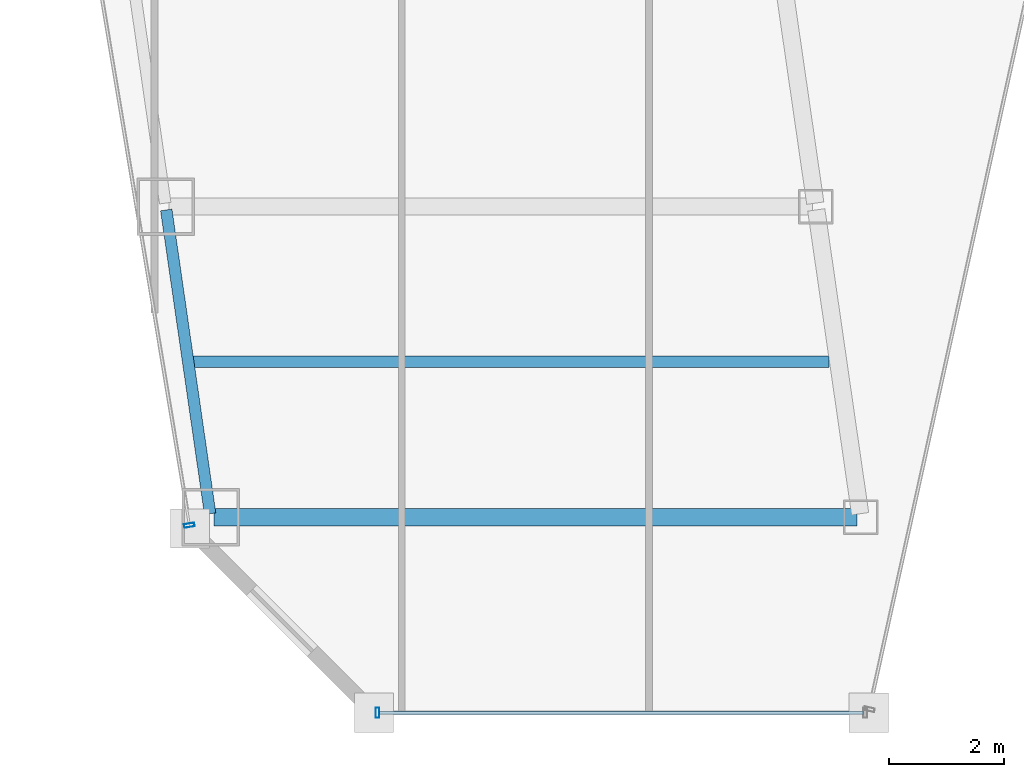
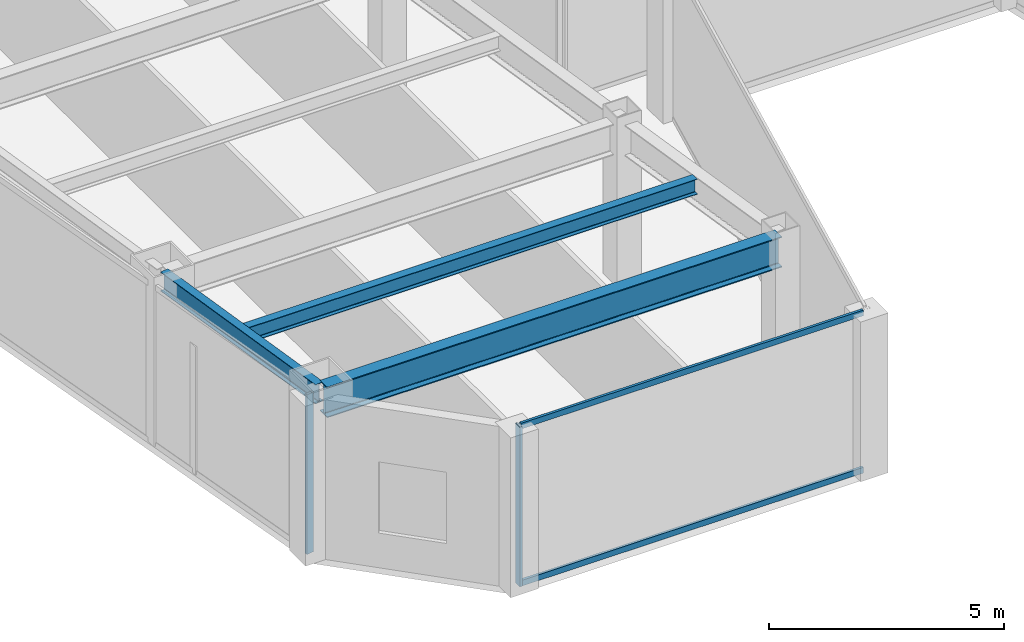
# One storey, part 2 of 37: 4 members, 3 beams, 2 elements without a shape of their own.
"""IFC4 building model written with IfcOpenShell, lengths in metres."""

from ifc_helpers import new_model, si_unit, direction, frame, origin, origin_2d, place, context, subcontext, project, spatial, hollow_rectangle, i_section, extrude, material, material_profile, profile_set, type_object, element, aggregate, save


model = new_model("IFC4")

# Units and contexts
model_context = context("Model", 3, precision=1e-05, world=origin(), true_north=direction((0.0, 1.0)))
body_context = subcontext(model_context, "Body", "Model", "MODEL_VIEW")
ifc_project = project(units=[si_unit("LENGTHUNIT", "METRE"), si_unit("AREAUNIT", "SQUARE_METRE"), si_unit("VOLUMEUNIT", "CUBIC_METRE"), si_unit("PLANEANGLEUNIT", "RADIAN"), si_unit("MASSUNIT", "GRAM", prefix="KILO")], contexts=[model_context])

# Site, building, storey
site_placement = place(None, origin())
site = spatial("IfcSite", under=ifc_project, at=site_placement, CompositionType="ELEMENT")
building_placement = place(site_placement, origin())
building = spatial("IfcBuilding", under=site, at=building_placement, Name="Saevonmaru Cultural Tower", CompositionType="ELEMENT")
storey_placement = place(building_placement, frame((0.0, 0.0, 114.800048828125)))
storey = spatial("IfcBuildingStorey", under=building, at=storey_placement, Name="L24", CompositionType="ELEMENT", Elevation=114.800048828125)

# Beams
ifc_material_1 = material(Name="Steel SM420", Category="steel")
ifc_material_profile_1 = material_profile(ifc_material_1, i_section(OverallWidth=0.300048828125, OverallDepth=0.800048828125, WebThickness=0.013916015625, FlangeThickness=0.02587890625, FilletRadius=0.028076171875, at=origin_2d()), Name="H-800x300x14x26")
ifc_profile_set_1 = profile_set([ifc_material_profile_1], Name="Steel SM420")
beam_type_1 = type_object("IfcBeamType", Name="BM-G-H800", PredefinedType="BEAM", material=ifc_profile_set_1)
beam_1_placement = place(storey_placement, frame((11.468017578125, 10.60009765625, 3.75), z_axis=(1.0, 0.0, 0.0), x_axis=(0.0, 1.0, 0.0)))
element("IfcBeam", 1, at=beam_1_placement, inside=storey, type_object=beam_type_1, Name="L24 West Wing Transverse Girder 1", PredefinedType="BEAM", context=body_context, shape_type="SweptSolid", body=[
    extrude(i_section(OverallWidth=0.300048828125, OverallDepth=0.800048828125, WebThickness=0.013916015625, FlangeThickness=0.02587890625, FilletRadius=0.028076171875, at=origin_2d()), origin(), (0.0, 0.0, 1.0), 11.179931640625),
])
ifc_material_2 = material(Name="Steel SM355", Category="steel")
ifc_material_profile_2 = material_profile(ifc_material_2, i_section(OverallWidth=0.199951171875, OverallDepth=0.39990234375, WebThickness=0.008056640625, FlangeThickness=0.012939453125, FilletRadius=0.01611328125, at=origin_2d()), Name="H-400x200x8x13")
ifc_profile_set_2 = profile_set([ifc_material_profile_2], Name="Steel SM355")
beam_type_2 = type_object("IfcBeamType", Name="BM-J-H400", PredefinedType="JOIST", material=ifc_profile_set_2)
beam_2_placement = place(storey_placement, frame((11.077880859375, 13.300048828125, 3.949951171875), z_axis=(1.0, 0.0, 0.0), x_axis=(0.0, 1.0, 0.0)))
element("IfcBeam", 2, at=beam_2_placement, inside=storey, type_object=beam_type_2, Name="L24 West Wing Floor Joist 1", PredefinedType="JOIST", context=body_context, shape_type="SweptSolid", body=[
    extrude(i_section(OverallWidth=0.199951171875, OverallDepth=0.39990234375, WebThickness=0.008056640625, FlangeThickness=0.012939453125, FilletRadius=0.01611328125, at=origin_2d()), origin(), (0.0, 0.0, 1.0), 11.08203125),
])
ifc_material_profile_3 = material_profile(ifc_material_2, i_section(OverallWidth=0.199951171875, OverallDepth=0.5, WebThickness=0.010009765625, FlangeThickness=0.01611328125, FilletRadius=0.02001953125, at=origin_2d()), Name="H-500x200x10x16")
ifc_profile_set_3 = profile_set([ifc_material_profile_3], Name="Steel SM355")
beam_type_3 = type_object("IfcBeamType", Name="BM-SP-H500", PredefinedType="SPANDREL", material=ifc_profile_set_3)
beam_3_placement = place(storey_placement, frame((11.3994140625, 10.659423828125, 3.89990234375), z_axis=(-0.1429328758, 0.989732384544, 0.0), x_axis=(-0.989732384544, -0.1429328758, 0.0)))
element("IfcBeam", 3, at=beam_3_placement, inside=storey, type_object=beam_type_3, Name="L24 West Splayed Spandrel 1", PredefinedType="SPANDREL", context=body_context, shape_type="SweptSolid", body=[
    extrude(i_section(OverallWidth=0.199951171875, OverallDepth=0.5, WebThickness=0.010009765625, FlangeThickness=0.01611328125, FilletRadius=0.02001953125, at=origin_2d()), origin(), (0.0, 0.0, 1.0), 5.3359375),
])

# Curtain wall, member
ifc_material_3 = material(Name="Satin Bronze Anodised Aluminium", Category="aluminium")
curtain_wall_type = type_object("IfcCurtainWallType", Name="CW-TYP-A", PredefinedType="NOTDEFINED", material=ifc_material_3)
curtain_wall_1_placement = place(storey_placement, origin())
curtain_wall_1 = element("IfcCurtainWall", 4, at=curtain_wall_1_placement, inside=storey, type_object=curtain_wall_type, Name="L24 Unitised Curtain Wall E2", PredefinedType="NOTDEFINED")
ifc_material_profile_4 = material_profile(ifc_material_3, hollow_rectangle(XDim=0.06494140625, YDim=0.179931640625, WallThickness=0.00390625, at=origin_2d()), Name="ALU-MULL-180x65x4")
ifc_profile_set_4 = profile_set([ifc_material_profile_4], Name="Satin Bronze Anodised Aluminium")
member_type_1 = type_object("IfcMemberType", Name="ML-CW-180x65", PredefinedType="MULLION", material=ifc_profile_set_4)
member_1_placement = place(storey_placement, frame((14.308837890625, 7.199951171875, 0.0), z_axis=(0.0, 0.0, 1.0), x_axis=(1.0, 0.0, 0.0)))
member_1 = element("IfcMember", 5, at=member_1_placement, type_object=member_type_1, Name="CW-TW-L24-E2 mullion 1", PredefinedType="MULLION", context=body_context, shape_type="SweptSolid", body=[
    extrude(hollow_rectangle(XDim=0.06494140625, YDim=0.179931640625, WallThickness=0.00390625, at=origin_2d()), origin(), (0.0, 0.0, 1.0), 4.14990234375),
])

curtain_wall_2_placement = place(storey_placement, origin())
curtain_wall_2 = element("IfcCurtainWall", 6, at=curtain_wall_2_placement, inside=storey, type_object=curtain_wall_type, Name="L24 Unitised Curtain Wall E12", PredefinedType="NOTDEFINED")
member_2_placement = place(storey_placement, frame((11.0390625, 10.459228515625, 0.0), z_axis=(0.0, 0.0, 1.0), x_axis=(0.163998702345, -0.986460554523, 0.0)))
member_2 = element("IfcMember", 7, at=member_2_placement, type_object=member_type_1, Name="CW-TW-L24-E12 mullion 5", PredefinedType="MULLION", context=body_context, shape_type="SweptSolid", body=[
    extrude(hollow_rectangle(XDim=0.06494140625, YDim=0.179931640625, WallThickness=0.00390625, at=origin_2d()), origin(), (0.0, 0.0, 1.0), 4.14990234375),
])
aggregate(curtain_wall_2, [member_2])

# Member
ifc_material_profile_5 = material_profile(ifc_material_3, hollow_rectangle(XDim=0.06494140625, YDim=0.14990234375, WallThickness=0.00390625, at=origin_2d()), Name="ALU-TRAN-150x65x4")
ifc_profile_set_5 = profile_set([ifc_material_profile_5], Name="Satin Bronze Anodised Aluminium")
member_type_2 = type_object("IfcMemberType", Name="TR-CW-150x65", PredefinedType="USERDEFINED", material=ifc_profile_set_5)
member_3_placement = place(storey_placement, frame((14.34130859375, 7.199951171875, 0.032470703125), z_axis=(1.0, 0.0, 0.0), x_axis=(0.0, 1.0, 0.0)))
member_3 = element("IfcMember", 8, at=member_3_placement, type_object=member_type_2, Name="CW-TW-L24-E2 transom 1.1", ObjectType="TRANSOM", PredefinedType="USERDEFINED", context=body_context, shape_type="SweptSolid", body=[
    extrude(hollow_rectangle(XDim=0.06494140625, YDim=0.14990234375, WallThickness=0.00390625, at=origin_2d()), origin(), (0.0, 0.0, 1.0), 8.4150390625),
])

member_4_placement = place(storey_placement, frame((14.34130859375, 7.199951171875, 4.117431640625), z_axis=(1.0, 0.0, 0.0), x_axis=(0.0, 1.0, 0.0)))
member_4 = element("IfcMember", 9, at=member_4_placement, type_object=member_type_2, Name="CW-TW-L24-E2 transom 1.2", ObjectType="TRANSOM", PredefinedType="USERDEFINED", context=body_context, shape_type="SweptSolid", body=[
    extrude(hollow_rectangle(XDim=0.06494140625, YDim=0.14990234375, WallThickness=0.00390625, at=origin_2d()), origin(), (0.0, 0.0, 1.0), 8.4150390625),
])

aggregate(curtain_wall_1, [member_1, member_3, member_4])

save(model, "model.ifc")
